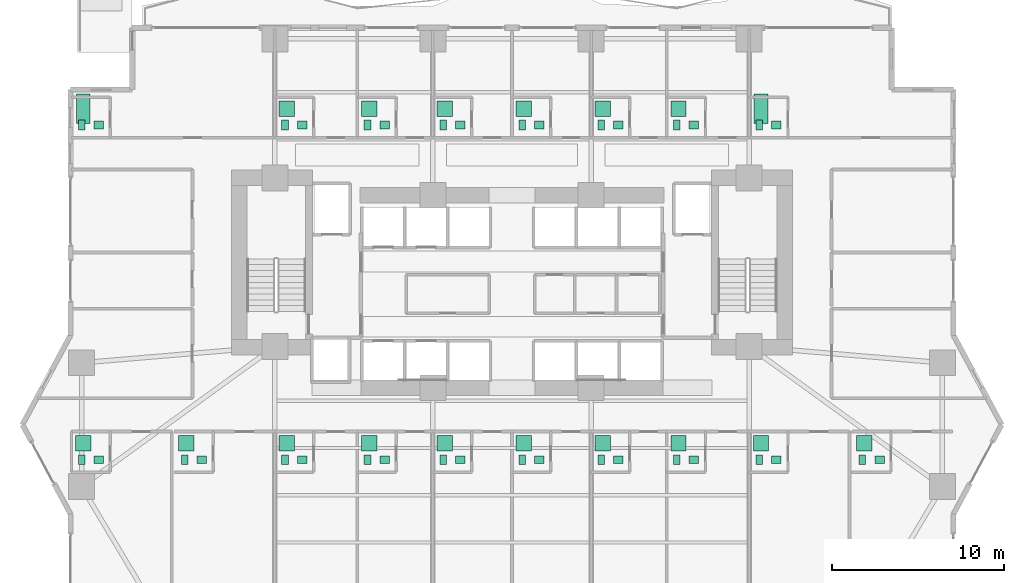
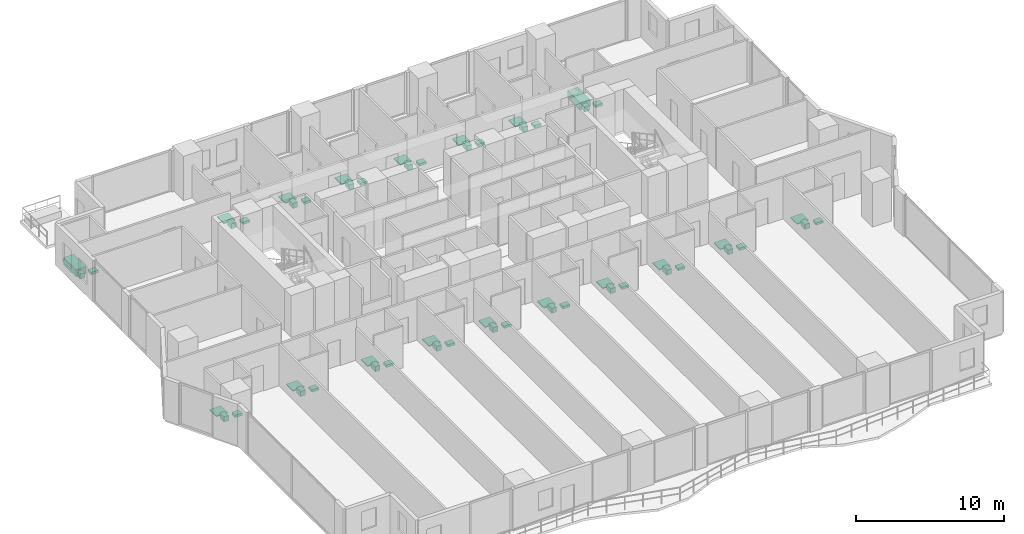
# One storey, part 29 of 29: 54 sanitary terminals.
"""IFC4 building model written with IfcOpenShell, lengths in metres."""

from ifc_helpers import new_model, si_unit, direction, frame, origin, origin_2d, place, context, subcontext, project, spatial, rectangle, extrude, material, type_object, element, save


model = new_model("IFC4")

# Units and contexts
model_context = context("Model", 3, precision=1e-05, world=origin(), true_north=direction((0.0, 1.0)))
body_context = subcontext(model_context, "Body", "Model", "MODEL_VIEW")
ifc_project = project(units=[si_unit("LENGTHUNIT", "METRE"), si_unit("AREAUNIT", "SQUARE_METRE"), si_unit("VOLUMEUNIT", "CUBIC_METRE"), si_unit("PLANEANGLEUNIT", "RADIAN"), si_unit("MASSUNIT", "GRAM", prefix="KILO")], contexts=[model_context])

# Site, building, storey
site_placement = place(None, origin())
site = spatial("IfcSite", under=ifc_project, at=site_placement, CompositionType="ELEMENT")
building_placement = place(site_placement, origin())
building = spatial("IfcBuilding", under=site, at=building_placement, Name="Zuhayl Quay Hotel", CompositionType="ELEMENT")
storey_placement = place(building_placement, frame((0.0, 0.0, 67.75)))
storey = spatial("IfcBuildingStorey", under=building, at=storey_placement, Name="L16", CompositionType="ELEMENT", Elevation=67.75)

# Sanitary terminals
ifc_material = material(Name="Vitreous Porcelain Sanitaryware")
sanitary_terminal_type_1 = type_object("IfcSanitaryTerminalType", Name="SAN_BASIN", PredefinedType="WASHHANDBASIN", material=ifc_material)
for number, where, z_axis, x_axis, name in (
    (1, (-24.050048828125, 17.43994140625, 0.0), (0.0, 0.0, 1.0), (1.0, 0.0, 0.0), "L16 Sanitary Fixture WASHHANDBASIN"),
    (2, (-12.2099609375, 17.43994140625, 0.0), (0.0, 0.0, 1.0), (1.0, 0.0, 0.0), "L16 Sanitary Fixture WASHHANDBASIN"),
    (3, (-7.409912109375, 17.43994140625, 0.0), (0.0, 0.0, 1.0), (1.0, 0.0, 0.0), "L16 Sanitary Fixture WASHHANDBASIN"),
    (4, (-3.010009765625, 17.43994140625, 0.0), (0.0, 0.0, 1.0), (1.0, 0.0, 0.0), "L16 Sanitary Fixture WASHHANDBASIN"),
    (5, (1.590087890625, 17.43994140625, 0.0), (0.0, 0.0, 1.0), (1.0, 0.0, 0.0), "L16 Sanitary Fixture WASHHANDBASIN"),
    (6, (6.18994140625, 17.43994140625, 0.0), (0.0, 0.0, 1.0), (1.0, 0.0, 0.0), "L16 Sanitary Fixture WASHHANDBASIN"),
    (7, (10.590087890625, 17.43994140625, 0.0), (0.0, 0.0, 1.0), (1.0, 0.0, 0.0), "L16 Sanitary Fixture WASHHANDBASIN"),
    (8, (15.389892578125, 17.43994140625, 0.0), (0.0, 0.0, 1.0), (1.0, 0.0, 0.0), "L16 Sanitary Fixture WASHHANDBASIN"),
    (9, (-24.050048828125, -2.0400390625, 0.0), (0.0, 0.0, 1.0), (1.0, 0.0, 0.0), "L16 Sanitary Fixture WASHHANDBASIN"),
    (10, (-18.050048828125, -2.0400390625, 0.0), (0.0, 0.0, 1.0), (1.0, 0.0, 0.0), "L16 Sanitary Fixture WASHHANDBASIN"),
    (11, (-12.2099609375, -2.0400390625, 0.0), (0.0, 0.0, 1.0), (1.0, 0.0, 0.0), "L16 Sanitary Fixture WASHHANDBASIN"),
    (12, (-7.409912109375, -2.0400390625, 0.0), (0.0, 0.0, 1.0), (1.0, 0.0, 0.0), "L16 Sanitary Fixture WASHHANDBASIN"),
    (13, (-3.010009765625, -2.0400390625, 0.0), (0.0, 0.0, 1.0), (1.0, 0.0, 0.0), "L16 Sanitary Fixture WASHHANDBASIN"),
    (14, (1.590087890625, -2.0400390625, 0.0), (0.0, 0.0, 1.0), (1.0, 0.0, 0.0), "L16 Sanitary Fixture WASHHANDBASIN"),
    (15, (6.18994140625, -2.0400390625, 0.0), (0.0, 0.0, 1.0), (1.0, 0.0, 0.0), "L16 Sanitary Fixture WASHHANDBASIN"),
    (16, (10.590087890625, -2.0400390625, 0.0), (0.0, 0.0, 1.0), (1.0, 0.0, 0.0), "L16 Sanitary Fixture WASHHANDBASIN"),
    (17, (15.389892578125, -2.0400390625, 0.0), (0.0, 0.0, 1.0), (1.0, 0.0, 0.0), "L16 Sanitary Fixture WASHHANDBASIN"),
    (18, (21.389892578125, -2.0400390625, 0.0), (0.0, 0.0, 1.0), (1.0, 0.0, 0.0), "L16 Sanitary Fixture WASHHANDBASIN"),
):
    element("IfcSanitaryTerminal", number, at=place(storey_placement, frame(where, z_axis=z_axis, x_axis=x_axis)), inside=storey, type_object=sanitary_terminal_type_1, Name=name, PredefinedType="WASHHANDBASIN", context=body_context, shape_type="SweptSolid", body=[
        extrude(rectangle(XDim=0.550048828125, YDim=0.449951171875, at=origin_2d()), origin(), (0.0, 0.0, 1.0), 0.199951171875),
    ])
sanitary_terminal_type_2 = type_object("IfcSanitaryTerminalType", Name="SAN_BATH", PredefinedType="BATH", material=ifc_material)
for number, where, z_axis, x_axis, name in (
    (19, (-24.949951171875, 18.389892578125, 0.0), (0.0, 0.0, 1.0), (1.0, 0.0, 0.0), "L16 Sanitary Fixture BATH"),
    (20, (14.489990234375, 18.389892578125, 0.0), (0.0, 0.0, 1.0), (1.0, 0.0, 0.0), "L16 Sanitary Fixture BATH"),
):
    element("IfcSanitaryTerminal", number, at=place(storey_placement, frame(where, z_axis=z_axis, x_axis=x_axis)), inside=storey, type_object=sanitary_terminal_type_2, Name=name, PredefinedType="BATH", context=body_context, shape_type="SweptSolid", body=[
        extrude(rectangle(XDim=0.800048828125, YDim=1.699951171875, at=origin_2d()), origin(), (0.0, 0.0, 1.0), 0.580078125),
    ])
sanitary_terminal_type_3 = type_object("IfcSanitaryTerminalType", Name="SAN_SHOWER", PredefinedType="SHOWER", material=ifc_material)
for number, where, z_axis, x_axis, name in (
    (21, (-13.110107421875, 18.389892578125, 0.0), (0.0, 0.0, 1.0), (1.0, 0.0, 0.0), "L16 Sanitary Fixture SHOWER"),
    (22, (-8.31005859375, 18.389892578125, 0.0), (0.0, 0.0, 1.0), (1.0, 0.0, 0.0), "L16 Sanitary Fixture SHOWER"),
    (23, (-3.909912109375, 18.389892578125, 0.0), (0.0, 0.0, 1.0), (1.0, 0.0, 0.0), "L16 Sanitary Fixture SHOWER"),
    (24, (0.68994140625, 18.389892578125, 0.0), (0.0, 0.0, 1.0), (1.0, 0.0, 0.0), "L16 Sanitary Fixture SHOWER"),
    (25, (5.2900390625, 18.389892578125, 0.0), (0.0, 0.0, 1.0), (1.0, 0.0, 0.0), "L16 Sanitary Fixture SHOWER"),
    (26, (9.68994140625, 18.389892578125, 0.0), (0.0, 0.0, 1.0), (1.0, 0.0, 0.0), "L16 Sanitary Fixture SHOWER"),
    (27, (-24.949951171875, -1.090087890625, 0.0), (0.0, 0.0, 1.0), (1.0, 0.0, 0.0), "L16 Sanitary Fixture SHOWER"),
    (28, (-18.949951171875, -1.090087890625, 0.0), (0.0, 0.0, 1.0), (1.0, 0.0, 0.0), "L16 Sanitary Fixture SHOWER"),
    (29, (-13.110107421875, -1.090087890625, 0.0), (0.0, 0.0, 1.0), (1.0, 0.0, 0.0), "L16 Sanitary Fixture SHOWER"),
    (30, (-8.31005859375, -1.090087890625, 0.0), (0.0, 0.0, 1.0), (1.0, 0.0, 0.0), "L16 Sanitary Fixture SHOWER"),
    (31, (-3.909912109375, -1.090087890625, 0.0), (0.0, 0.0, 1.0), (1.0, 0.0, 0.0), "L16 Sanitary Fixture SHOWER"),
    (32, (0.68994140625, -1.090087890625, 0.0), (0.0, 0.0, 1.0), (1.0, 0.0, 0.0), "L16 Sanitary Fixture SHOWER"),
    (33, (5.2900390625, -1.090087890625, 0.0), (0.0, 0.0, 1.0), (1.0, 0.0, 0.0), "L16 Sanitary Fixture SHOWER"),
    (34, (9.68994140625, -1.090087890625, 0.0), (0.0, 0.0, 1.0), (1.0, 0.0, 0.0), "L16 Sanitary Fixture SHOWER"),
    (35, (14.489990234375, -1.090087890625, 0.0), (0.0, 0.0, 1.0), (1.0, 0.0, 0.0), "L16 Sanitary Fixture SHOWER"),
    (36, (20.489990234375, -1.090087890625, 0.0), (0.0, 0.0, 1.0), (1.0, 0.0, 0.0), "L16 Sanitary Fixture SHOWER"),
):
    element("IfcSanitaryTerminal", number, at=place(storey_placement, frame(where, z_axis=z_axis, x_axis=x_axis)), inside=storey, type_object=sanitary_terminal_type_3, Name=name, PredefinedType="SHOWER", context=body_context, shape_type="SweptSolid", body=[
        extrude(rectangle(XDim=0.89990234375, YDim=0.89990234375, at=origin_2d()), origin(), (0.0, 0.0, 1.0), 0.080078125),
    ])
sanitary_terminal_type_4 = type_object("IfcSanitaryTerminalType", Name="SAN_WC", PredefinedType="TOILETPAN", material=ifc_material)
for number, where, z_axis, x_axis, name in (
    (37, (-25.050048828125, 17.43994140625, 0.0), (0.0, 0.0, 1.0), (1.0, 0.0, 0.0), "L16 Sanitary Fixture TOILETPAN"),
    (38, (-13.2099609375, 17.43994140625, 0.0), (0.0, 0.0, 1.0), (1.0, 0.0, 0.0), "L16 Sanitary Fixture TOILETPAN"),
    (39, (-8.409912109375, 17.43994140625, 0.0), (0.0, 0.0, 1.0), (1.0, 0.0, 0.0), "L16 Sanitary Fixture TOILETPAN"),
    (40, (-4.010009765625, 17.43994140625, 0.0), (0.0, 0.0, 1.0), (1.0, 0.0, 0.0), "L16 Sanitary Fixture TOILETPAN"),
    (41, (0.590087890625, 17.43994140625, 0.0), (0.0, 0.0, 1.0), (1.0, 0.0, 0.0), "L16 Sanitary Fixture TOILETPAN"),
    (42, (5.18994140625, 17.43994140625, 0.0), (0.0, 0.0, 1.0), (1.0, 0.0, 0.0), "L16 Sanitary Fixture TOILETPAN"),
    (43, (9.590087890625, 17.43994140625, 0.0), (0.0, 0.0, 1.0), (1.0, 0.0, 0.0), "L16 Sanitary Fixture TOILETPAN"),
    (44, (14.389892578125, 17.43994140625, 0.0), (0.0, 0.0, 1.0), (1.0, 0.0, 0.0), "L16 Sanitary Fixture TOILETPAN"),
    (45, (-25.050048828125, -2.0400390625, 0.0), (0.0, 0.0, 1.0), (1.0, 0.0, 0.0), "L16 Sanitary Fixture TOILETPAN"),
    (46, (-19.050048828125, -2.0400390625, 0.0), (0.0, 0.0, 1.0), (1.0, 0.0, 0.0), "L16 Sanitary Fixture TOILETPAN"),
    (47, (-13.2099609375, -2.0400390625, 0.0), (0.0, 0.0, 1.0), (1.0, 0.0, 0.0), "L16 Sanitary Fixture TOILETPAN"),
    (48, (-8.409912109375, -2.0400390625, 0.0), (0.0, 0.0, 1.0), (1.0, 0.0, 0.0), "L16 Sanitary Fixture TOILETPAN"),
    (49, (-4.010009765625, -2.0400390625, 0.0), (0.0, 0.0, 1.0), (1.0, 0.0, 0.0), "L16 Sanitary Fixture TOILETPAN"),
    (50, (0.590087890625, -2.0400390625, 0.0), (0.0, 0.0, 1.0), (1.0, 0.0, 0.0), "L16 Sanitary Fixture TOILETPAN"),
    (51, (5.18994140625, -2.0400390625, 0.0), (0.0, 0.0, 1.0), (1.0, 0.0, 0.0), "L16 Sanitary Fixture TOILETPAN"),
    (52, (9.590087890625, -2.0400390625, 0.0), (0.0, 0.0, 1.0), (1.0, 0.0, 0.0), "L16 Sanitary Fixture TOILETPAN"),
    (53, (14.389892578125, -2.0400390625, 0.0), (0.0, 0.0, 1.0), (1.0, 0.0, 0.0), "L16 Sanitary Fixture TOILETPAN"),
    (54, (20.389892578125, -2.0400390625, 0.0), (0.0, 0.0, 1.0), (1.0, 0.0, 0.0), "L16 Sanitary Fixture TOILETPAN"),
):
    element("IfcSanitaryTerminal", number, at=place(storey_placement, frame(where, z_axis=z_axis, x_axis=x_axis)), inside=storey, type_object=sanitary_terminal_type_4, Name=name, PredefinedType="TOILETPAN", context=body_context, shape_type="SweptSolid", body=[
        extrude(rectangle(XDim=0.3798828125, YDim=0.56005859375, at=origin_2d()), origin(), (0.0, 0.0, 1.0), 0.419921875),
    ])

save(model, "model.ifc")
